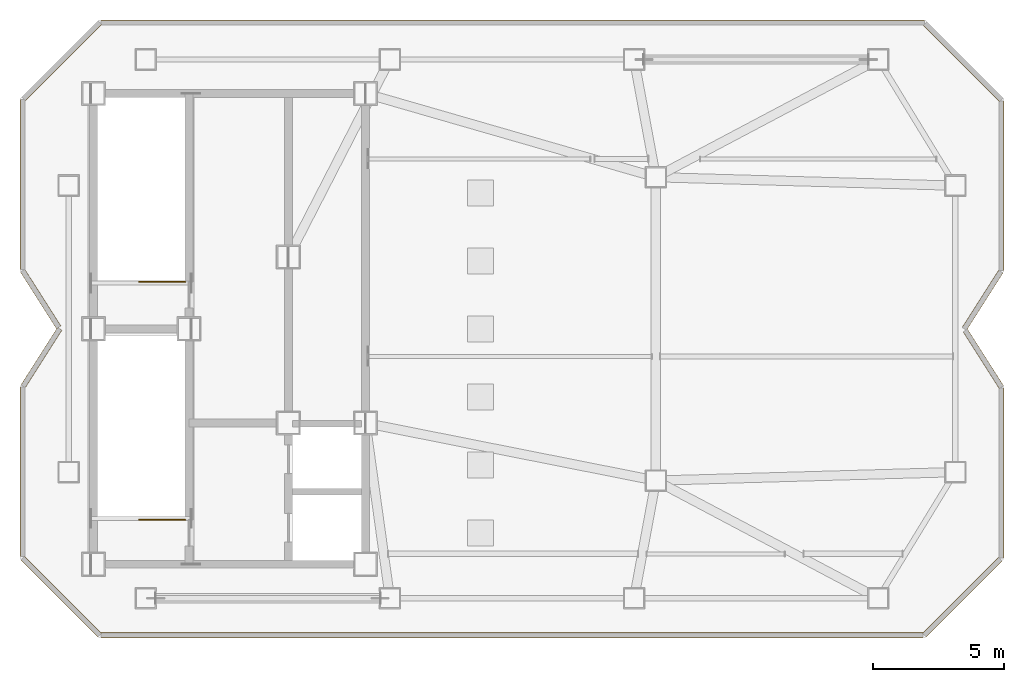
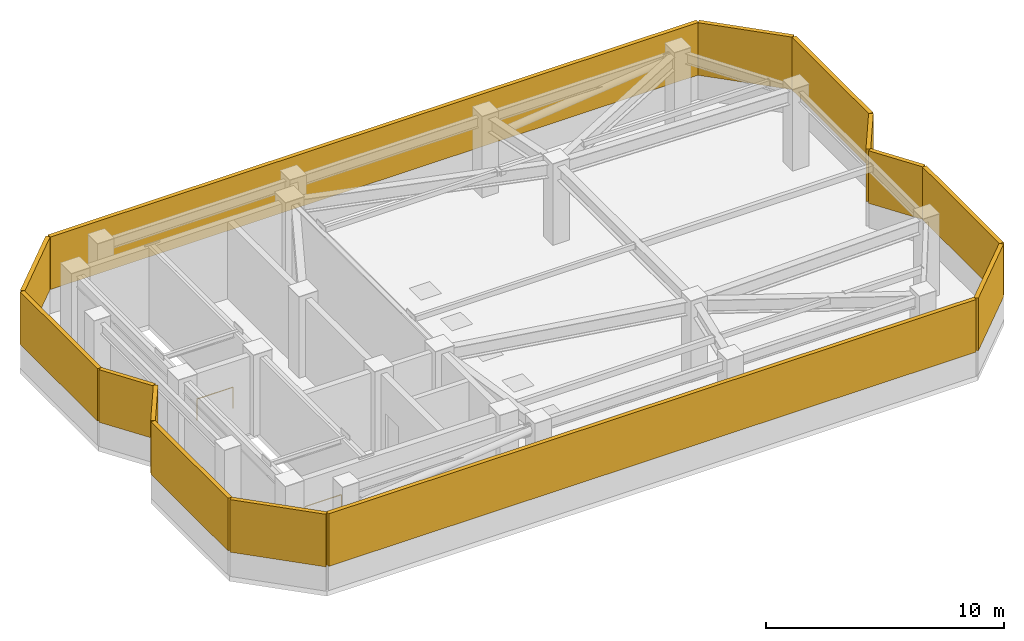
# One storey, part 7 of 7: 14 shading devices, 2 railings.
"""IFC4 building model written with IfcOpenShell, lengths in metres."""

from ifc_helpers import new_model, si_unit, direction, frame, origin, origin_2d, place, context, subcontext, project, spatial, rectangle, circle, extrude, material, type_object, element, save


model = new_model("IFC4")

# Units and contexts
model_context = context("Model", 3, precision=1e-05, world=origin(), true_north=direction((0.0, 1.0)))
body_context = subcontext(model_context, "Body", "Model", "MODEL_VIEW")
ifc_project = project(units=[si_unit("LENGTHUNIT", "METRE"), si_unit("AREAUNIT", "SQUARE_METRE"), si_unit("VOLUMEUNIT", "CUBIC_METRE"), si_unit("PLANEANGLEUNIT", "RADIAN"), si_unit("MASSUNIT", "GRAM", prefix="KILO")], contexts=[model_context])

# Site, building, storey
site_placement = place(None, origin())
site = spatial("IfcSite", under=ifc_project, at=site_placement, CompositionType="ELEMENT")
building_placement = place(site_placement, origin())
building = spatial("IfcBuilding", under=site, at=building_placement, Name="Khamvora Tower", CompositionType="ELEMENT")
storey_placement = place(building_placement, frame((0.0, 0.0, 307.85009765625)))
storey = spatial("IfcBuildingStorey", under=building, at=storey_placement, Name="ROOF", CompositionType="ELEMENT", Elevation=307.85009765625)

# Railings
ifc_material_1 = material(Name="Stainless Steel 316", Category="steel")
railing_type = type_object("IfcRailingType", Name="RAL-STG-1100", PredefinedType="GUARDRAIL", material=ifc_material_1)
for number, where, name in (
    (1, (32.5, 20.699951171875, 0.0), "ROOF ST-01 top well guard 1"),
    (2, (32.5, 29.800048828125, 0.0), "ROOF ST-02 top well guard 1"),
):
    element("IfcRailing", number, at=place(storey_placement, frame(where)), inside=storey, type_object=railing_type, Name=name, PredefinedType="GUARDRAIL", context=body_context, shape_type="SweptSolid", body=[
        extrude(circle(Radius=0.02392578125, at=origin_2d()), frame((0.0, 0.0, 1.076171875), z_axis=(-1.0, 0.0, 0.0), x_axis=(0.0, -1.0, 0.0)), (0.0, 0.0, 1.0), 1.75),
        extrude(circle(Radius=0.02099609375, at=origin_2d()), origin(), (0.0, 0.0, 1.0), 1.052001953125),
        extrude(circle(Radius=0.02099609375, at=origin_2d()), frame((-1.75, 0.0, 0.0)), (0.0, 0.0, 1.0), 1.052001953125),
    ])

# Shading devices
ifc_material_2 = material(Name="Pale Anodised Aluminium 6063-T6", Category="aluminium")
shading_device_type = type_object("IfcShadingDeviceType", Name="SHD-LVR-200", PredefinedType="JALOUSIE", material=ifc_material_2)
shading_device_1_placement = place(storey_placement, frame((27.763916015625, 17.763916015625, 1.25), z_axis=(0.0, 0.0, 1.0), x_axis=(-0.707106781187, 0.707106781187, 0.0)))
element("IfcShadingDevice", 3, at=shading_device_1_placement, inside=storey, type_object=shading_device_type, Name="Crown screen acoustic louvre 01.1", PredefinedType="JALOUSIE", context=body_context, shape_type="SweptSolid", body=[
    extrude(rectangle(XDim=4.16796875, YDim=0.199951171875, at=origin_2d()), origin(), (0.0, 0.0, 1.0), 2.699951171875),
])
shading_device_2_placement = place(storey_placement, frame((26.2900390625, 22.533935546875, 1.25), z_axis=(0.0, 0.0, 1.0), x_axis=(0.0, 1.0, 0.0)))
element("IfcShadingDevice", 4, at=shading_device_2_placement, inside=storey, type_object=shading_device_type, Name="Crown screen acoustic louvre 02.1", PredefinedType="JALOUSIE", context=body_context, shape_type="SweptSolid", body=[
    extrude(rectangle(XDim=6.48095703125, YDim=0.199951171875, at=origin_2d()), origin(), (0.0, 0.0, 1.0), 2.699951171875),
])
shading_device_3_placement = place(storey_placement, frame((27.009033203125, 26.904052734375, 1.25), z_axis=(0.0, 0.0, 1.0), x_axis=(0.536998093911, 0.84358345594, 0.0)))
element("IfcShadingDevice", 5, at=shading_device_3_placement, inside=storey, type_object=shading_device_type, Name="Crown screen acoustic louvre 03.1", PredefinedType="JALOUSIE", context=body_context, shape_type="SweptSolid", body=[
    extrude(rectangle(XDim=2.60009765625, YDim=0.199951171875, at=origin_2d()), origin(), (0.0, 0.0, 1.0), 2.699951171875),
])
shading_device_4_placement = place(storey_placement, frame((26.97900390625, 29.14306640625, 1.25), z_axis=(0.0, 0.0, 1.0), x_axis=(-0.536998093911, 0.84358345594, 0.0)))
element("IfcShadingDevice", 6, at=shading_device_4_placement, inside=storey, type_object=shading_device_type, Name="Crown screen acoustic louvre 04.1", PredefinedType="JALOUSIE", context=body_context, shape_type="SweptSolid", body=[
    extrude(rectangle(XDim=2.56591796875, YDim=0.199951171875, at=origin_2d()), origin(), (0.0, 0.0, 1.0), 2.699951171875),
])
shading_device_5_placement = place(storey_placement, frame((26.2900390625, 33.513916015625, 1.25), z_axis=(0.0, 0.0, 1.0), x_axis=(0.0, 1.0, 0.0)))
element("IfcShadingDevice", 7, at=shading_device_5_placement, inside=storey, type_object=shading_device_type, Name="Crown screen acoustic louvre 05.1", PredefinedType="JALOUSIE", context=body_context, shape_type="SweptSolid", body=[
    extrude(rectangle(XDim=6.498046875, YDim=0.199951171875, at=origin_2d()), origin(), (0.0, 0.0, 1.0), 2.699951171875),
])
shading_device_6_placement = place(storey_placement, frame((27.782958984375, 38.256103515625, 1.25), z_axis=(0.0, 0.0, 1.0), x_axis=(0.707106781187, 0.707106781187, 0.0)))
element("IfcShadingDevice", 8, at=shading_device_6_placement, inside=storey, type_object=shading_device_type, Name="Crown screen acoustic louvre 06.1", PredefinedType="JALOUSIE", context=body_context, shape_type="SweptSolid", body=[
    extrude(rectangle(XDim=4.113037109375, YDim=0.199951171875, at=origin_2d()), origin(), (0.0, 0.0, 1.0), 2.699951171875),
])
shading_device_7_placement = place(storey_placement, frame((45.028076171875, 39.7099609375, 1.25), z_axis=(0.0, 0.0, 1.0), x_axis=(1.0, 0.0, 0.0)))
element("IfcShadingDevice", 9, at=shading_device_7_placement, inside=storey, type_object=shading_device_type, Name="Crown screen acoustic louvre 07.1", PredefinedType="JALOUSIE", context=body_context, shape_type="SweptSolid", body=[
    extrude(rectangle(XDim=31.469970703125, YDim=0.199951171875, at=origin_2d()), origin(), (0.0, 0.0, 1.0), 2.699951171875),
])
shading_device_8_placement = place(storey_placement, frame((62.2548828125, 38.218017578125, 1.25), z_axis=(0.0, 0.0, 1.0), x_axis=(0.707106781187, -0.707106781187, 0.0)))
element("IfcShadingDevice", 10, at=shading_device_8_placement, inside=storey, type_object=shading_device_type, Name="Crown screen acoustic louvre 08.1", PredefinedType="JALOUSIE", context=body_context, shape_type="SweptSolid", body=[
    extrude(rectangle(XDim=4.114013671875, YDim=0.199951171875, at=origin_2d()), origin(), (0.0, 0.0, 1.0), 2.699951171875),
])
shading_device_9_placement = place(storey_placement, frame((63.7099609375, 33.466064453125, 1.25), z_axis=(0.0, 0.0, 1.0), x_axis=(0.0, -1.0, 0.0)))
element("IfcShadingDevice", 11, at=shading_device_9_placement, inside=storey, type_object=shading_device_type, Name="Crown screen acoustic louvre 09.1", PredefinedType="JALOUSIE", context=body_context, shape_type="SweptSolid", body=[
    extrude(rectangle(XDim=6.47998046875, YDim=0.199951171875, at=origin_2d()), origin(), (0.0, 0.0, 1.0), 2.699951171875),
])
shading_device_10_placement = place(storey_placement, frame((62.990966796875, 29.095947265625, 1.25), z_axis=(0.0, 0.0, 1.0), x_axis=(-0.536998093911, -0.84358345594, 0.0)))
element("IfcShadingDevice", 12, at=shading_device_10_placement, inside=storey, type_object=shading_device_type, Name="Crown screen acoustic louvre 10.1", PredefinedType="JALOUSIE", context=body_context, shape_type="SweptSolid", body=[
    extrude(rectangle(XDim=2.59912109375, YDim=0.199951171875, at=origin_2d()), origin(), (0.0, 0.0, 1.0), 2.699951171875),
])
shading_device_11_placement = place(storey_placement, frame((63.02099609375, 26.85693359375, 1.25), z_axis=(0.0, 0.0, 1.0), x_axis=(0.536998093911, -0.84358345594, 0.0)))
element("IfcShadingDevice", 13, at=shading_device_11_placement, inside=storey, type_object=shading_device_type, Name="Crown screen acoustic louvre 11.1", PredefinedType="JALOUSIE", context=body_context, shape_type="SweptSolid", body=[
    extrude(rectangle(XDim=2.56591796875, YDim=0.199951171875, at=origin_2d()), origin(), (0.0, 0.0, 1.0), 2.699951171875),
])
shading_device_12_placement = place(storey_placement, frame((63.7099609375, 22.486083984375, 1.25), z_axis=(0.0, 0.0, 1.0), x_axis=(0.0, -1.0, 0.0)))
element("IfcShadingDevice", 14, at=shading_device_12_placement, inside=storey, type_object=shading_device_type, Name="Crown screen acoustic louvre 12.1", PredefinedType="JALOUSIE", context=body_context, shape_type="SweptSolid", body=[
    extrude(rectangle(XDim=6.4970703125, YDim=0.199951171875, at=origin_2d()), origin(), (0.0, 0.0, 1.0), 2.699951171875),
])
shading_device_13_placement = place(storey_placement, frame((62.218017578125, 17.7451171875, 1.25), z_axis=(0.0, 0.0, 1.0), x_axis=(-0.707106781187, -0.707106781187, 0.0)))
element("IfcShadingDevice", 15, at=shading_device_13_placement, inside=storey, type_object=shading_device_type, Name="Crown screen acoustic louvre 13.1", PredefinedType="JALOUSIE", context=body_context, shape_type="SweptSolid", body=[
    extrude(rectangle(XDim=4.114013671875, YDim=0.199951171875, at=origin_2d()), origin(), (0.0, 0.0, 1.0), 2.699951171875),
])
shading_device_14_placement = place(storey_placement, frame((44.998046875, 16.2900390625, 1.25), z_axis=(0.0, 0.0, 1.0), x_axis=(-1.0, 0.0, 0.0)))
element("IfcShadingDevice", 16, at=shading_device_14_placement, inside=storey, type_object=shading_device_type, Name="Crown screen acoustic louvre 14.1", PredefinedType="JALOUSIE", context=body_context, shape_type="SweptSolid", body=[
    extrude(rectangle(XDim=31.4150390625, YDim=0.199951171875, at=origin_2d()), origin(), (0.0, 0.0, 1.0), 2.699951171875),
])

save(model, "model.ifc")
